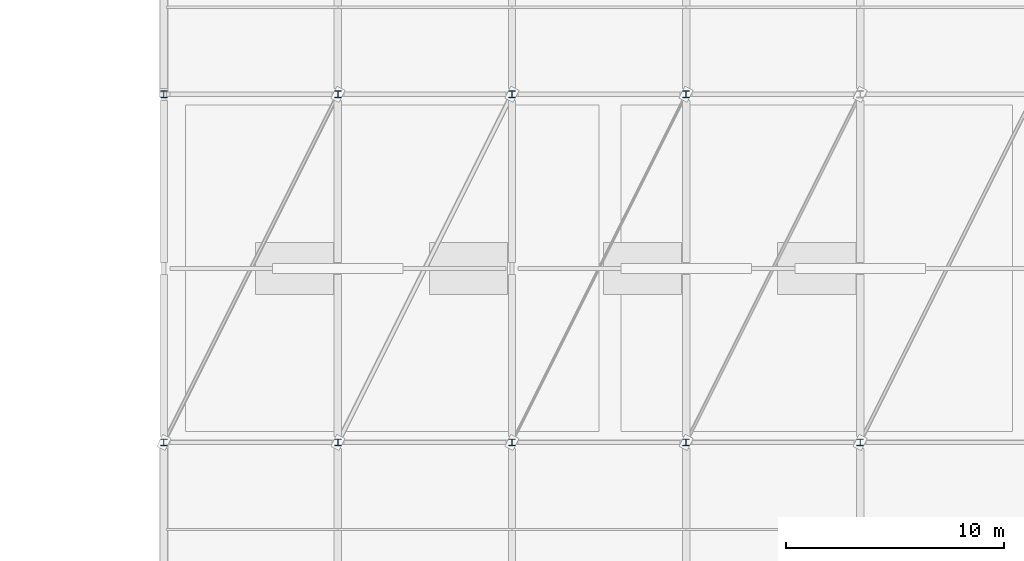
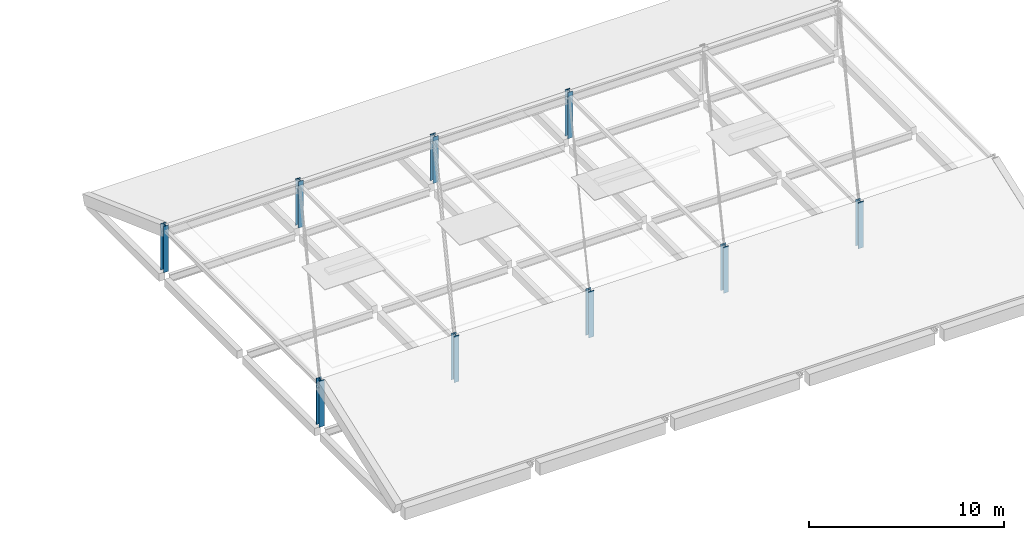
# One storey, part 4 of 47: 9 columns.
"""IFC4 building model written with IfcOpenShell, lengths in metres."""

from ifc_helpers import new_model, si_unit, direction, frame, origin, origin_2d, place, context, subcontext, project, spatial, i_section, extrude, material, material_profile, profile_set, type_object, element, save


model = new_model("IFC4")

# Units and contexts
model_context = context("Model", 3, precision=1e-05, world=origin(), true_north=direction((0.0, 1.0)))
body_context = subcontext(model_context, "Body", "Model", "MODEL_VIEW")
ifc_project = project(units=[si_unit("LENGTHUNIT", "METRE"), si_unit("AREAUNIT", "SQUARE_METRE"), si_unit("VOLUMEUNIT", "CUBIC_METRE"), si_unit("PLANEANGLEUNIT", "RADIAN"), si_unit("MASSUNIT", "GRAM", prefix="KILO")], contexts=[model_context])

# Site, building, storey
site_placement = place(None, origin())
site = spatial("IfcSite", under=ifc_project, at=site_placement, CompositionType="ELEMENT")
building_placement = place(site_placement, origin())
building = spatial("IfcBuilding", under=site, at=building_placement, Name="Pecanmere Concourse Central Library", CompositionType="ELEMENT")
storey_placement = place(building_placement, frame((0.0, 0.0, 15.300048828125)))
storey = spatial("IfcBuildingStorey", under=building, at=storey_placement, Name="L04", CompositionType="ELEMENT", Elevation=15.300048828125)

# Columns
ifc_material = material(Name="Structural steel ASTM A992 Grade 50", Category="steel")
ifc_material_profile = material_profile(ifc_material, i_section(OverallWidth=0.304931640625, OverallDepth=0.30810546875, WebThickness=0.010009765625, FlangeThickness=0.015380859375, at=origin_2d()), Name="W310x97")
ifc_profile_set = profile_set([ifc_material_profile], Name="Structural steel ASTM A992 Grade 50")
column_type = type_object("IfcColumnType", Name="COL_STL_W310x97", PredefinedType="COLUMN", material=ifc_profile_set)
for number, where, z_axis, x_axis, name in (
    (1, (128.0, 8.0, 0.0), (0.0, 0.0, 1.0), (1.0, 0.0, 0.0), "Pavilion Ridge Monitor Column 040"),
    (2, (128.0, 24.0, 0.0), (0.0, 0.0, 1.0), (1.0, 0.0, 0.0), "Pavilion Ridge Monitor Column 041"),
    (3, (136.0, 8.0, 0.0), (0.0, 0.0, 1.0), (1.0, 0.0, 0.0), "Pavilion Ridge Monitor Column 042"),
    (4, (136.0, 24.0, 0.0), (0.0, 0.0, 1.0), (1.0, 0.0, 0.0), "Pavilion Ridge Monitor Column 043"),
    (5, (144.0, 8.0, 0.0), (0.0, 0.0, 1.0), (1.0, 0.0, 0.0), "Pavilion Ridge Monitor Column 044"),
    (6, (144.0, 24.0, 0.0), (0.0, 0.0, 1.0), (1.0, 0.0, 0.0), "Pavilion Ridge Monitor Column 045"),
    (7, (152.0, 8.0, 0.0), (0.0, 0.0, 1.0), (1.0, 0.0, 0.0), "Pavilion Ridge Monitor Column 046"),
    (8, (152.0, 24.0, 0.0), (0.0, 0.0, 1.0), (1.0, 0.0, 0.0), "Pavilion Ridge Monitor Column 047"),
    (9, (160.0, 8.0, 0.0), (0.0, 0.0, 1.0), (1.0, 0.0, 0.0), "Pavilion Ridge Monitor Column 048"),
):
    element("IfcColumn", number, at=place(storey_placement, frame(where, z_axis=z_axis, x_axis=x_axis)), inside=storey, type_object=column_type, Name=name, PredefinedType="COLUMN", context=body_context, shape_type="SweptSolid", body=[
        extrude(i_section(OverallWidth=0.304931640625, OverallDepth=0.30810546875, WebThickness=0.010009765625, FlangeThickness=0.015380859375, at=origin_2d()), origin(), (0.0, 0.0, 1.0), 2.911865234375),
    ])

save(model, "model.ifc")
